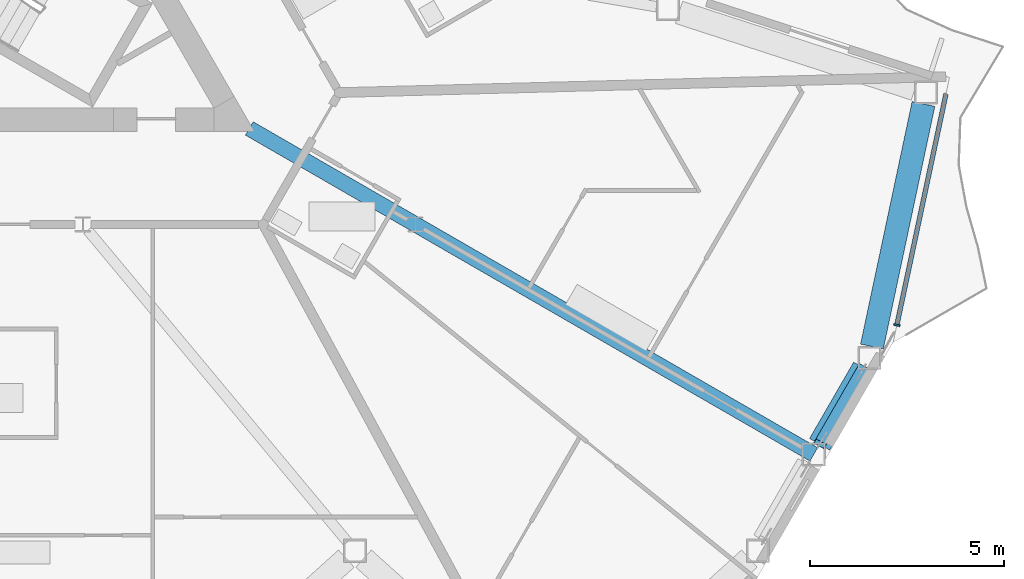
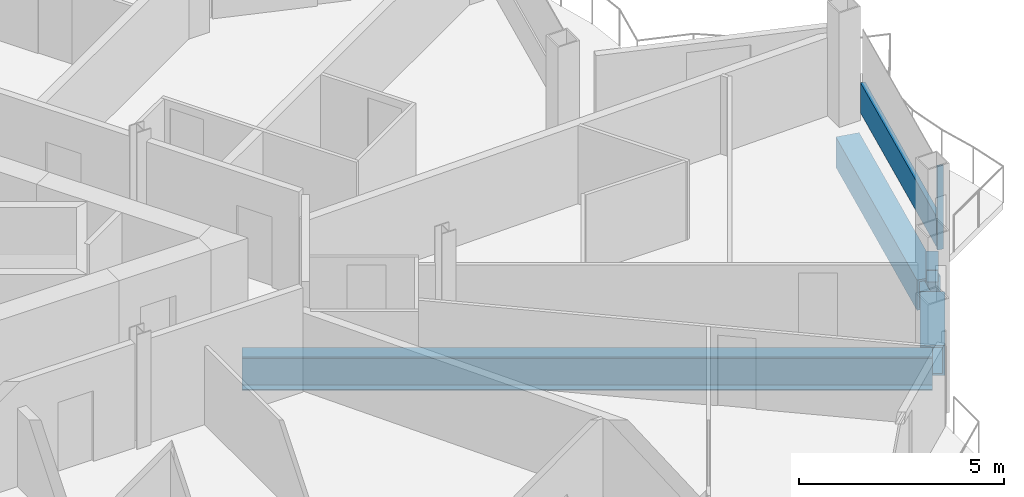
# One storey, part 8 of 28: 4 members, 2 beams, 1 element without a shape of its own.
"""IFC4 building model written with IfcOpenShell, lengths in metres."""

from ifc_helpers import new_model, si_unit, direction, frame, origin, origin_2d, place, context, subcontext, project, spatial, rectangle, hollow_rectangle, i_section, extrude, material, layer, layer_set, material_profile, profile_set, type_object, element, aggregate, save


model = new_model("IFC4")

# Units and contexts
model_context = context("Model", 3, precision=1e-05, world=origin(), true_north=direction((0.0, 1.0)))
body_context = subcontext(model_context, "Body", "Model", "MODEL_VIEW")
ifc_project = project(units=[si_unit("LENGTHUNIT", "METRE"), si_unit("AREAUNIT", "SQUARE_METRE"), si_unit("VOLUMEUNIT", "CUBIC_METRE"), si_unit("PLANEANGLEUNIT", "RADIAN"), si_unit("MASSUNIT", "GRAM", prefix="KILO")], contexts=[model_context])

# Site, building, storey
site_placement = place(None, origin())
site = spatial("IfcSite", under=ifc_project, at=site_placement, CompositionType="ELEMENT")
building_placement = place(site_placement, origin())
building = spatial("IfcBuilding", under=site, at=building_placement, Name="Cormorant Prow Tower", CompositionType="ELEMENT")
storey_placement = place(building_placement, frame((0.0, 0.0, 301.800048828125)))
storey = spatial("IfcBuildingStorey", under=building, at=storey_placement, Name="L65", CompositionType="ELEMENT", Elevation=301.800048828125)

# Beams
ifc_material_1 = material(Name="Structural steel ASTM A572 Gr 50", Category="steel")
ifc_material_profile_1 = material_profile(ifc_material_1, hollow_rectangle(XDim=0.60009765625, YDim=0.89990234375, WallThickness=0.06005859375, at=origin_2d()), Name="Box 900x600x60")
ifc_profile_set_1 = profile_set([ifc_material_profile_1], Name="Structural steel ASTM A572 Gr 50")
beam_type = type_object("IfcBeamType", Name="Belt truss top chord 900x600x60", PredefinedType="BEAM", material=ifc_profile_set_1)
beam_1_placement = place(storey_placement, frame((27.582275390625, -15.578125, -0.75), z_axis=(0.500053962254, 0.865994246421, 0.0), x_axis=(-0.865994246421, 0.500053962254, 0.0)))
element("IfcBeam", 1, at=beam_1_placement, inside=storey, type_object=beam_type, Name="Belt truss top chord TC2 ESE01-ENE00 L65", PredefinedType="BEAM", context=body_context, shape_type="SweptSolid", body=[
    extrude(hollow_rectangle(XDim=0.60009765625, YDim=0.89990234375, WallThickness=0.06005859375, at=origin_2d()), origin(), (0.0, 0.0, 1.0), 2.273681640625),
])
beam_2_placement = place(storey_placement, frame((28.931640625, -13.055908203125, -0.75), z_axis=(0.20791262393, 0.978147402394, 0.0), x_axis=(-0.978147402394, 0.20791262393, 0.0)))
element("IfcBeam", 2, at=beam_2_placement, inside=storey, type_object=beam_type, Name="Belt truss top chord TC2 ENE00-ENE01 L65", PredefinedType="BEAM", context=body_context, shape_type="SweptSolid", body=[
    extrude(hollow_rectangle(XDim=0.60009765625, YDim=0.89990234375, WallThickness=0.06005859375, at=origin_2d()), origin(), (0.0, 0.0, 1.0), 6.396240234375),
])

# Members
ifc_material_2 = material(Name="Structural steel ASTM A500 Gr C", Category="steel")
ifc_material_profile_2 = material_profile(ifc_material_2, hollow_rectangle(XDim=0.3046875, YDim=0.3046875, WallThickness=0.01171875, at=origin_2d()), Name="HSS12x12x1/2")
ifc_profile_set_2 = profile_set([ifc_material_profile_2], Name="Structural steel ASTM A500 Gr C")
member_type_1 = type_object("IfcMemberType", Name="Chamfer brace HSS12x12x1/2", PredefinedType="BRACE", material=ifc_profile_set_2)
member_1_placement = place(storey_placement, frame((28.711669921875, -13.621826171875, 0.740966796875), z_axis=(-0.456247183882, -0.790292391402, 0.408994429415), x_axis=(0.866038851724, -0.499976706761, 0.0)))
element("IfcMember", 3, at=member_1_placement, inside=storey, type_object=member_type_1, Name="Chamfer brace BR3 at ESE01 L65", PredefinedType="BRACE", context=body_context, shape_type="SweptSolid", body=[
    extrude(hollow_rectangle(XDim=0.3046875, YDim=0.3046875, WallThickness=0.01171875, at=origin_2d()), origin(), (0.0, 0.0, 1.0), 2.459228515625),
])
ifc_material_3 = material(Name="Structural steel ASTM A992 Gr 50", Category="steel")
ifc_material_profile_3 = material_profile(ifc_material_3, i_section(OverallWidth=0.39990234375, OverallDepth=1.000244140625, WebThickness=0.01904296875, FlangeThickness=0.0361328125, at=origin_2d()), Name="W40x249")
ifc_profile_set_3 = profile_set([ifc_material_profile_3], Name="Structural steel ASTM A992 Gr 50")
member_type_2 = type_object("IfcMemberType", Name="Outrigger chord W40x249", PredefinedType="CHORD", material=ifc_profile_set_3)
member_2_placement = place(storey_placement, frame((12.8701171875, -7.430419921875, -0.80029296875), z_axis=(0.86602044652, -0.500008586136, 0.0), x_axis=(0.500008586136, 0.86602044652, 0.0)))
element("IfcMember", 4, at=member_2_placement, inside=storey, type_object=member_type_2, Name="Outrigger top chord 5 L65", PredefinedType="CHORD", context=body_context, shape_type="SweptSolid", body=[
    extrude(i_section(OverallWidth=0.39990234375, OverallDepth=1.000244140625, WebThickness=0.01904296875, FlangeThickness=0.0361328125, at=origin_2d()), origin(), (0.0, 0.0, 1.0), 16.815185546875),
])

# Curtain wall, members
ifc_material_4 = material(Name="Aluminium 6063-T6", Category="aluminium")
ifc_layer = layer(ifc_material_4, 0.159912109375)
ifc_layer_set = layer_set([ifc_layer], Name="Aluminium 6063-T6")
curtain_wall_type = type_object("IfcCurtainWallType", Name="Residential unitised curtain wall 160", PredefinedType="NOTDEFINED", material=ifc_layer_set)
curtain_wall_placement = place(storey_placement, origin())
curtain_wall = element("IfcCurtainWall", 5, at=curtain_wall_placement, inside=storey, type_object=curtain_wall_type, Name="Residential curtain wall ENE00", PredefinedType="NOTDEFINED")
ifc_material_5 = material(Name="Aluminium 6063-T6", Category="aluminium")
ifc_material_profile_4 = material_profile(ifc_material_5, rectangle(XDim=0.159912109375, YDim=0.050048828125, at=origin_2d()), Name="Residential mullion 50x160")
ifc_profile_set_4 = profile_set([ifc_material_profile_4], Name="Aluminium 6063-T6")
member_type_3 = type_object("IfcMemberType", Name="Residential mullion 50x160", PredefinedType="MULLION", material=ifc_profile_set_4)
member_3_placement = place(storey_placement, frame((29.574951171875, -12.5009765625, 0.0), z_axis=(0.0, 0.0, 1.0), x_axis=(-0.97814757141, 0.207911828776, 0.0)))
member_3 = element("IfcMember", 6, at=member_3_placement, type_object=member_type_3, Name="Residential mullion ENE00", PredefinedType="MULLION", context=body_context, shape_type="SweptSolid", body=[
    extrude(rectangle(XDim=0.159912109375, YDim=0.050048828125, at=origin_2d()), origin(), (0.0, 0.0, 1.0), 2.48779296875),
])
ifc_material_6 = material(Name="Terracotta", Category="masonry")
ifc_material_profile_5 = material_profile(ifc_material_6, rectangle(XDim=0.1201171875, YDim=0.89990234375, at=origin_2d()), Name="Residential terracotta spandrel rail 120x900")
ifc_profile_set_5 = profile_set([ifc_material_profile_5], Name="Terracotta")
member_type_4 = type_object("IfcMemberType", Name="Residential terracotta spandrel rail 120x900", PredefinedType="USERDEFINED", material=ifc_profile_set_5)
member_4_placement = place(storey_placement, frame((29.580078125, -12.4765625, 0.449951171875), z_axis=(0.207918432162, 0.978146167793, 0.0), x_axis=(-0.978146167793, 0.207918432162, 0.0)))
member_4 = element("IfcMember", 7, at=member_4_placement, type_object=member_type_4, Name="Residential spandrel rail ENE00", ObjectType="TRANSOM", PredefinedType="USERDEFINED", context=body_context, shape_type="SweptSolid", body=[
    extrude(rectangle(XDim=0.1201171875, YDim=0.89990234375, at=origin_2d()), origin(), (0.0, 0.0, 1.0), 6.067138671875),
])
aggregate(curtain_wall, [member_3, member_4])

save(model, "model.ifc")
